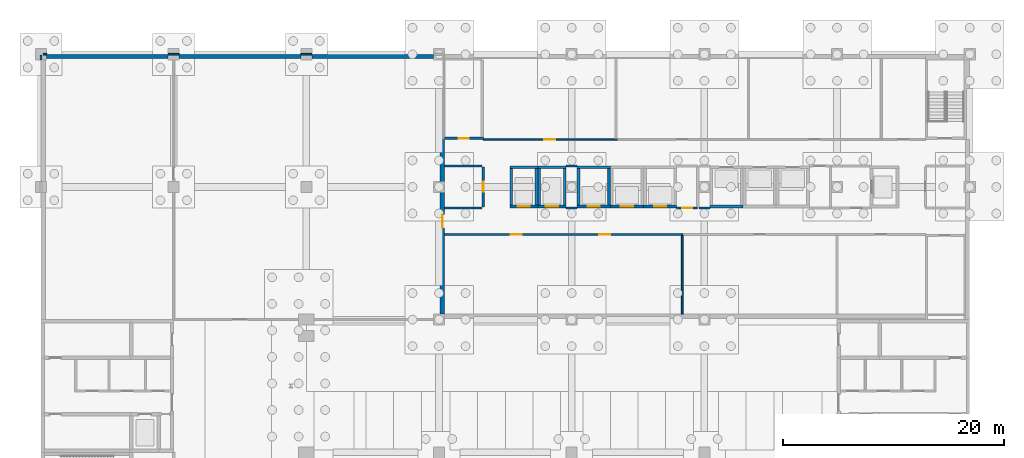
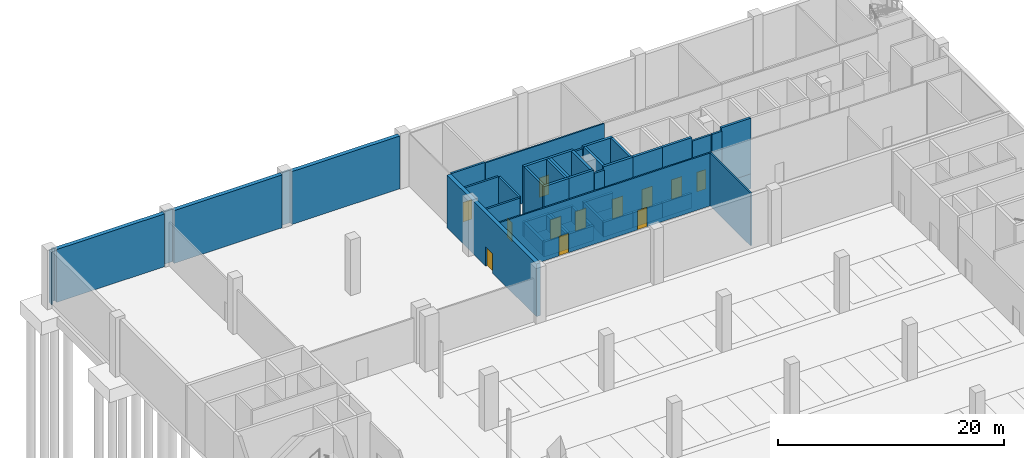
# One storey, part 25 of 34: 48 walls, 12 doors, 12 openings.
"""IFC4 building model written with IfcOpenShell, lengths in metres."""

from ifc_helpers import new_model, si_unit, direction, frame, frame_2d, origin, place, context, subcontext, project, spatial, rectangle, extrude, material, layer, layer_set, type_object, element, fill, save


model = new_model("IFC4")

# Units and contexts
model_context = context("Model", 3, precision=1e-05, world=origin(), true_north=direction((0.0, 1.0)))
body_context = subcontext(model_context, "Body", "Model", "MODEL_VIEW")
ifc_project = project(units=[si_unit("LENGTHUNIT", "METRE"), si_unit("AREAUNIT", "SQUARE_METRE"), si_unit("VOLUMEUNIT", "CUBIC_METRE"), si_unit("PLANEANGLEUNIT", "RADIAN"), si_unit("MASSUNIT", "GRAM", prefix="KILO")], contexts=[model_context])

# Site, building, storey
site_placement = place(None, origin())
site = spatial("IfcSite", under=ifc_project, at=site_placement, CompositionType="ELEMENT")
building_placement = place(site_placement, origin())
building = spatial("IfcBuilding", under=site, at=building_placement, Name="Lilac Gate Convention Centre", CompositionType="ELEMENT")
storey_placement = place(building_placement, frame((0.0, 0.0, -6.0)))
storey = spatial("IfcBuildingStorey", under=building, at=storey_placement, Name="B1", CompositionType="ELEMENT", Elevation=-6.0)

# Wall, opening, door
ifc_material_1 = material(Name="Fire-rated blockwork", Category="masonry")
ifc_layer_1 = layer(ifc_material_1, 0.39990234375)
ifc_layer_set_1 = layer_set([ifc_layer_1], Name="Fire-rated blockwork")
wall_type_1 = type_object("IfcWallType", Name="Basement compartment wall 400", PredefinedType="PARTITIONING", material=ifc_layer_set_1)
wall_1_placement = place(storey_placement, frame((42.300048828125, 222.5, 0.0), z_axis=(0.0, 0.0, 1.0), x_axis=(0.0, 1.0, 0.0)))
wall_1 = element("IfcWall", 1, at=wall_1_placement, inside=storey, type_object=wall_type_1, Name="Basement compartment wall 400 compartment west", PredefinedType="PARTITIONING", context=body_context, shape_type="SweptSolid", body=[
    extrude(rectangle(XDim=15.800048828125, YDim=0.39990234375, at=frame_2d((7.89990234375, 0.0))), origin(), (0.0, 0.0, 1.0), 5.699951171875),
])
opening_1_placement = place(wall_1_placement, frame((7.800048828125, 0.0, 0.0)))
opening_1 = element("IfcOpeningElement", 2, at=opening_1_placement, cuts=wall_1, Name="Opening TB1-006", PredefinedType="OPENING", context=body_context, shape_type="SweptSolid", body=[
    extrude(rectangle(XDim=1.199951171875, YDim=2.10009765625, at=frame_2d((0.60009765625, 1.050048828125))), frame((0.0, 0.2099609375, 0.0), z_axis=(0.0, -1.0, 0.0), x_axis=(1.0, 0.0, 0.0)), (0.0, 0.0, 1.0), 0.419921875),
])
ifc_material_2 = material(Name="Steel Q235B", Category="steel")
door_type_1 = type_object("IfcDoorType", Name="Compartment door 1200", OperationType="SINGLE_SWING_LEFT", PredefinedType="DOOR", material=ifc_material_2)
door_1_placement = place(opening_1_placement, origin())
door_1 = element("IfcDoor", 3, at=door_1_placement, inside=storey, type_object=door_type_1, Name="Basement compartment door", OperationType="SINGLE_SWING_LEFT", OverallHeight=2.10009765625, OverallWidth=1.199951171875, PredefinedType="DOOR", context=body_context, shape_type="SweptSolid", body=[
    extrude(rectangle(XDim=1.199951171875, YDim=2.10009765625, at=frame_2d((0.60009765625, 1.050048828125))), frame((0.0, 0.02490234375, 0.0), z_axis=(0.0, -1.0, 0.0), x_axis=(1.0, 0.0, 0.0)), (0.0, 0.0, 1.0), 0.050048828125),
])
fill(opening_1, door_1)

# Walls
ifc_material_3 = material(Name="Concrete C35", Category="concrete")
ifc_layer_2 = layer(ifc_material_3, 0.39990234375)
ifc_layer_set_2 = layer_set([ifc_layer_2], Name="Concrete C35")
wall_type_2 = type_object("IfcWallType", Name="Basement wall 400 C35", PredefinedType="SOLIDWALL", material=ifc_layer_set_2)
for number, where, z_axis, x_axis, name in (
    (4, (6.5, 245.800048828125, 0.0), (0.0, 0.0, 1.0), (1.0, 0.0, 0.0), "SW2 basement wall 1 at 1/U"),
    (5, (18.5, 245.800048828125, 0.0), (0.0, 0.0, 1.0), (1.0, 0.0, 0.0), "SW2 basement wall 2 at 1/U"),
    (6, (30.5, 245.800048828125, 0.0), (0.0, 0.0, 1.0), (1.0, 0.0, 0.0), "SW2 basement wall 3 at 1/U"),
):
    element("IfcWall", number, at=place(storey_placement, frame(where, z_axis=z_axis, x_axis=x_axis)), inside=storey, type_object=wall_type_2, Name=name, PredefinedType="SOLIDWALL", context=body_context, shape_type="SweptSolid", body=[
        extrude(rectangle(XDim=11.0, YDim=0.39990234375, at=frame_2d((5.5, 0.0))), origin(), (0.0, 0.0, 1.0), 5.699951171875),
    ])

# Wall, opening, door
ifc_material_4 = material(Name="Concrete C60", Category="concrete")
ifc_layer_3 = layer(ifc_material_4, 0.199951171875)
ifc_layer_set_3 = layer_set([ifc_layer_3], Name="Concrete C60")
wall_type_3 = type_object("IfcWallType", Name="Core wall 200 C60", PredefinedType="SHEAR", material=ifc_layer_set_3)
wall_2_placement = place(storey_placement, frame((42.5, 238.39990234375, 0.0), z_axis=(0.0, 0.0, 1.0), x_axis=(1.0, 0.0, 0.0)))
wall_2 = element("IfcWall", 7, at=wall_2_placement, inside=storey, type_object=wall_type_3, Name="CRW2 core wall TS-W B1 1", PredefinedType="SHEAR", context=body_context, shape_type="SweptSolid", body=[
    extrude(rectangle(XDim=3.5, YDim=0.199951171875, at=frame_2d((1.75, 0.0))), origin(), (0.0, 0.0, 1.0), 5.699951171875),
])
opening_2_placement = place(wall_2_placement, frame((1.300048828125, 0.0, 0.0)))
opening_2 = element("IfcOpeningElement", 8, at=opening_2_placement, cuts=wall_2, Name="Opening TB1-024", PredefinedType="OPENING", context=body_context, shape_type="SweptSolid", body=[
    extrude(rectangle(XDim=0.89990234375, YDim=2.10009765625, at=frame_2d((0.449951171875, 1.050048828125))), frame((0.0, 0.10986328125, 0.0), z_axis=(0.0, -1.0, 0.0), x_axis=(1.0, 0.0, 0.0)), (0.0, 0.0, 1.0), 0.219970703125),
])
door_type_2 = type_object("IfcDoorType", Name="Riser and store door 900", OperationType="SINGLE_SWING_LEFT", PredefinedType="DOOR", material=ifc_material_2)
door_2_placement = place(opening_2_placement, origin())
door_2 = element("IfcDoor", 9, at=door_2_placement, inside=storey, type_object=door_type_2, Name="Maintenance Workshop door", OperationType="SINGLE_SWING_RIGHT", OverallHeight=2.10009765625, OverallWidth=0.89990234375, PredefinedType="DOOR", context=body_context, shape_type="SweptSolid", body=[
    extrude(rectangle(XDim=0.89990234375, YDim=2.10009765625, at=frame_2d((0.449951171875, 1.050048828125))), frame((0.0, 0.02490234375, 0.0), z_axis=(0.0, -1.0, 0.0), x_axis=(1.0, 0.0, 0.0)), (0.0, 0.0, 1.0), 0.050048828125),
])
fill(opening_2, door_2)

ifc_layer_4 = layer(ifc_material_4, 0.25)
ifc_layer_set_4 = layer_set([ifc_layer_4], Name="Concrete C60")
wall_type_4 = type_object("IfcWallType", Name="Core wall 250 C60", PredefinedType="SHEAR", material=ifc_layer_set_4)
wall_3_placement = place(storey_placement, frame((54.5, 232.22509765625, 0.0), z_axis=(0.0, 0.0, 1.0), x_axis=(1.0, 0.0, 0.0)))
wall_3 = element("IfcWall", 10, at=wall_3_placement, inside=storey, type_object=wall_type_4, Name="CRW3 core wall TC B1 1", PredefinedType="SHEAR", context=body_context, shape_type="SweptSolid", body=[
    extrude(rectangle(XDim=3.0, YDim=0.25, at=frame_2d((1.5, 0.0))), origin(), (0.0, 0.0, 1.0), 6.0),
])
opening_3_placement = place(wall_3_placement, frame((0.949951171875, 0.0, 0.0)))
opening_3 = element("IfcOpeningElement", 11, at=opening_3_placement, cuts=wall_3, Name="Opening TB1-015", PredefinedType="OPENING", context=body_context, shape_type="SweptSolid", body=[
    extrude(rectangle(XDim=1.10009765625, YDim=2.10009765625, at=frame_2d((0.550048828125, 1.050048828125))), frame((0.0, 0.135009765625, 0.0), z_axis=(0.0, -1.0, 0.0), x_axis=(1.0, 0.0, 0.0)), (0.0, 0.0, 1.0), 0.27001953125),
])
ifc_material_5 = material(Name="Stainless steel 304", Category="steel")
door_type_3 = type_object("IfcDoorType", Name="Lift landing door 1100", OperationType="SLIDING_TO_LEFT", PredefinedType="DOOR", material=ifc_material_5)
door_3_placement = place(opening_3_placement, origin())
door_3 = element("IfcDoor", 12, at=door_3_placement, inside=storey, type_object=door_type_3, Name="Lift landing door TP1 B1", OperationType="SLIDING_TO_LEFT", OverallHeight=2.10009765625, OverallWidth=1.10009765625, PredefinedType="DOOR", context=body_context, shape_type="SweptSolid", body=[
    extrude(rectangle(XDim=1.10009765625, YDim=2.10009765625, at=frame_2d((0.550048828125, 1.050048828125))), frame((0.0, 0.02490234375, 0.0), z_axis=(0.0, -1.0, 0.0), x_axis=(1.0, 0.0, 0.0)), (0.0, 0.0, 1.0), 0.050048828125),
])
fill(opening_3, door_3)

# Walls
wall_4_placement = place(storey_placement, frame((54.5, 235.77490234375, 0.0), z_axis=(0.0, 0.0, 1.0), x_axis=(1.0, 0.0, 0.0)))
element("IfcWall", 13, at=wall_4_placement, inside=storey, type_object=wall_type_4, Name="CRW3 core wall TC B1 2", PredefinedType="SHEAR", context=body_context, shape_type="SweptSolid", body=[
    extrude(rectangle(XDim=3.0, YDim=0.25, at=frame_2d((1.5, 0.0))), origin(), (0.0, 0.0, 1.0), 6.0),
])
for number, where, z_axis, x_axis, name in (
    (14, (54.625, 232.35009765625, 0.0), (0.0, 0.0, 1.0), (0.0, 1.0, 0.0), "CRW3 core wall TC B1 3"),
    (15, (57.375, 232.35009765625, 0.0), (0.0, 0.0, 1.0), (0.0, 1.0, 0.0), "CRW3 core wall TC B1 4"),
):
    element("IfcWall", number, at=place(storey_placement, frame(where, z_axis=z_axis, x_axis=x_axis)), inside=storey, type_object=wall_type_4, Name=name, PredefinedType="SHEAR", context=body_context, shape_type="SweptSolid", body=[
        extrude(rectangle(XDim=3.2998046875, YDim=0.25, at=frame_2d((1.64990234375, 0.0))), origin(), (0.0, 0.0, 1.0), 6.0),
    ])

# Wall, opening, door
wall_5_placement = place(storey_placement, frame((57.5, 232.22509765625, 0.0), z_axis=(0.0, 0.0, 1.0), x_axis=(1.0, 0.0, 0.0)))
wall_5 = element("IfcWall", 16, at=wall_5_placement, inside=storey, type_object=wall_type_4, Name="CRW3 core wall TC B1 5", PredefinedType="SHEAR", context=body_context, shape_type="SweptSolid", body=[
    extrude(rectangle(XDim=3.0, YDim=0.25, at=frame_2d((1.5, 0.0))), origin(), (0.0, 0.0, 1.0), 6.0),
])
opening_4_placement = place(wall_5_placement, frame((0.949951171875, 0.0, 0.0)))
opening_4 = element("IfcOpeningElement", 17, at=opening_4_placement, cuts=wall_5, Name="Opening TB1-016", PredefinedType="OPENING", context=body_context, shape_type="SweptSolid", body=[
    extrude(rectangle(XDim=1.10009765625, YDim=2.10009765625, at=frame_2d((0.550048828125, 1.050048828125))), frame((0.0, 0.135009765625, 0.0), z_axis=(0.0, -1.0, 0.0), x_axis=(1.0, 0.0, 0.0)), (0.0, 0.0, 1.0), 0.27001953125),
])
door_4_placement = place(opening_4_placement, origin())
door_4 = element("IfcDoor", 18, at=door_4_placement, inside=storey, type_object=door_type_3, Name="Lift landing door TP2 B1", OperationType="SLIDING_TO_LEFT", OverallHeight=2.10009765625, OverallWidth=1.10009765625, PredefinedType="DOOR", context=body_context, shape_type="SweptSolid", body=[
    extrude(rectangle(XDim=1.10009765625, YDim=2.10009765625, at=frame_2d((0.550048828125, 1.050048828125))), frame((0.0, 0.02490234375, 0.0), z_axis=(0.0, -1.0, 0.0), x_axis=(1.0, 0.0, 0.0)), (0.0, 0.0, 1.0), 0.050048828125),
])
fill(opening_4, door_4)

wall_6_placement = place(storey_placement, frame((60.5, 232.22509765625, 0.0), z_axis=(0.0, 0.0, 1.0), x_axis=(1.0, 0.0, 0.0)))
wall_6 = element("IfcWall", 19, at=wall_6_placement, inside=storey, type_object=wall_type_4, Name="CRW3 core wall TC B1 9", PredefinedType="SHEAR", context=body_context, shape_type="SweptSolid", body=[
    extrude(rectangle(XDim=3.0, YDim=0.25, at=frame_2d((1.5, 0.0))), origin(), (0.0, 0.0, 1.0), 6.0),
])
opening_5_placement = place(wall_6_placement, frame((0.949951171875, 0.0, 0.0)))
opening_5 = element("IfcOpeningElement", 20, at=opening_5_placement, cuts=wall_6, Name="Opening TB1-017", PredefinedType="OPENING", context=body_context, shape_type="SweptSolid", body=[
    extrude(rectangle(XDim=1.10009765625, YDim=2.10009765625, at=frame_2d((0.550048828125, 1.050048828125))), frame((0.0, 0.135009765625, 0.0), z_axis=(0.0, -1.0, 0.0), x_axis=(1.0, 0.0, 0.0)), (0.0, 0.0, 1.0), 0.27001953125),
])
door_5_placement = place(opening_5_placement, origin())
door_5 = element("IfcDoor", 21, at=door_5_placement, inside=storey, type_object=door_type_3, Name="Lift landing door TP3 B1", OperationType="SLIDING_TO_LEFT", OverallHeight=2.10009765625, OverallWidth=1.10009765625, PredefinedType="DOOR", context=body_context, shape_type="SweptSolid", body=[
    extrude(rectangle(XDim=1.10009765625, YDim=2.10009765625, at=frame_2d((0.550048828125, 1.050048828125))), frame((0.0, 0.02490234375, 0.0), z_axis=(0.0, -1.0, 0.0), x_axis=(1.0, 0.0, 0.0)), (0.0, 0.0, 1.0), 0.050048828125),
])
fill(opening_5, door_5)

# Wall
wall_7_placement = place(storey_placement, frame((66.5, 232.22509765625, 0.0), z_axis=(0.0, 0.0, 1.0), x_axis=(1.0, 0.0, 0.0)))
element("IfcWall", 22, at=wall_7_placement, inside=storey, type_object=wall_type_4, Name="CRW3 core wall TC B1 13", PredefinedType="SHEAR", context=body_context, shape_type="SweptSolid", body=[
    extrude(rectangle(XDim=3.0, YDim=0.25, at=frame_2d((1.5, 0.0))), origin(), (0.0, 0.0, 1.0), 6.0),
])

# Wall, opening, door
wall_8_placement = place(storey_placement, frame((48.39990234375, 232.22509765625, 0.0), z_axis=(0.0, 0.0, 1.0), x_axis=(1.0, 0.0, 0.0)))
wall_8 = element("IfcWall", 23, at=wall_8_placement, inside=storey, type_object=wall_type_4, Name="CRW3 core wall TC B1 25", PredefinedType="SHEAR", context=body_context, shape_type="SweptSolid", body=[
    extrude(rectangle(XDim=2.550048828125, YDim=0.25, at=frame_2d((1.27490234375, 0.0))), origin(), (0.0, 0.0, 1.0), 6.0),
])
opening_6_placement = place(wall_8_placement, frame((0.72509765625, 0.0, 0.0)))
opening_6 = element("IfcOpeningElement", 24, at=opening_6_placement, cuts=wall_8, Name="Opening TB1-021", PredefinedType="OPENING", context=body_context, shape_type="SweptSolid", body=[
    extrude(rectangle(XDim=1.10009765625, YDim=2.10009765625, at=frame_2d((0.550048828125, 1.050048828125))), frame((0.0, 0.135009765625, 0.0), z_axis=(0.0, -1.0, 0.0), x_axis=(1.0, 0.0, 0.0)), (0.0, 0.0, 1.0), 0.27001953125),
])
door_6_placement = place(opening_6_placement, origin())
door_6 = element("IfcDoor", 25, at=door_6_placement, inside=storey, type_object=door_type_3, Name="Lift landing door TS1 B1", OperationType="SLIDING_TO_LEFT", OverallHeight=2.10009765625, OverallWidth=1.10009765625, PredefinedType="DOOR", context=body_context, shape_type="SweptSolid", body=[
    extrude(rectangle(XDim=1.10009765625, YDim=2.10009765625, at=frame_2d((0.550048828125, 1.050048828125))), frame((0.0, 0.02490234375, 0.0), z_axis=(0.0, -1.0, 0.0), x_axis=(1.0, 0.0, 0.0)), (0.0, 0.0, 1.0), 0.050048828125),
])
fill(opening_6, door_6)

# Walls
wall_9_placement = place(storey_placement, frame((48.39990234375, 235.77490234375, 0.0), z_axis=(0.0, 0.0, 1.0), x_axis=(1.0, 0.0, 0.0)))
element("IfcWall", 26, at=wall_9_placement, inside=storey, type_object=wall_type_4, Name="CRW3 core wall TC B1 26", PredefinedType="SHEAR", context=body_context, shape_type="SweptSolid", body=[
    extrude(rectangle(XDim=2.550048828125, YDim=0.25, at=frame_2d((1.27490234375, 0.0))), origin(), (0.0, 0.0, 1.0), 6.0),
])
for number, where, z_axis, x_axis, name in (
    (27, (48.52490234375, 232.35009765625, 0.0), (0.0, 0.0, 1.0), (0.0, 1.0, 0.0), "CRW3 core wall TC B1 27"),
    (28, (50.824951171875, 232.35009765625, 0.0), (0.0, 0.0, 1.0), (0.0, 1.0, 0.0), "CRW3 core wall TC B1 28"),
):
    element("IfcWall", number, at=place(storey_placement, frame(where, z_axis=z_axis, x_axis=x_axis)), inside=storey, type_object=wall_type_4, Name=name, PredefinedType="SHEAR", context=body_context, shape_type="SweptSolid", body=[
        extrude(rectangle(XDim=3.2998046875, YDim=0.25, at=frame_2d((1.64990234375, 0.0))), origin(), (0.0, 0.0, 1.0), 6.0),
    ])

# Wall, opening, door
wall_10_placement = place(storey_placement, frame((50.949951171875, 232.22509765625, 0.0), z_axis=(0.0, 0.0, 1.0), x_axis=(1.0, 0.0, 0.0)))
wall_10 = element("IfcWall", 29, at=wall_10_placement, inside=storey, type_object=wall_type_4, Name="CRW3 core wall TC B1 29", PredefinedType="SHEAR", context=body_context, shape_type="SweptSolid", body=[
    extrude(rectangle(XDim=2.550048828125, YDim=0.25, at=frame_2d((1.27490234375, 0.0))), origin(), (0.0, 0.0, 1.0), 6.0),
])
opening_7_placement = place(wall_10_placement, frame((0.72509765625, 0.0, 0.0)))
opening_7 = element("IfcOpeningElement", 30, at=opening_7_placement, cuts=wall_10, Name="Opening TB1-022", PredefinedType="OPENING", context=body_context, shape_type="SweptSolid", body=[
    extrude(rectangle(XDim=1.10009765625, YDim=2.10009765625, at=frame_2d((0.550048828125, 1.050048828125))), frame((0.0, 0.135009765625, 0.0), z_axis=(0.0, -1.0, 0.0), x_axis=(1.0, 0.0, 0.0)), (0.0, 0.0, 1.0), 0.27001953125),
])
door_7_placement = place(opening_7_placement, origin())
door_7 = element("IfcDoor", 31, at=door_7_placement, inside=storey, type_object=door_type_3, Name="Lift landing door TS2 B1", OperationType="SLIDING_TO_LEFT", OverallHeight=2.10009765625, OverallWidth=1.10009765625, PredefinedType="DOOR", context=body_context, shape_type="SweptSolid", body=[
    extrude(rectangle(XDim=1.10009765625, YDim=2.10009765625, at=frame_2d((0.550048828125, 1.050048828125))), frame((0.0, 0.02490234375, 0.0), z_axis=(0.0, -1.0, 0.0), x_axis=(1.0, 0.0, 0.0)), (0.0, 0.0, 1.0), 0.050048828125),
])
fill(opening_7, door_7)

# Walls
wall_11_placement = place(storey_placement, frame((50.949951171875, 235.77490234375, 0.0), z_axis=(0.0, 0.0, 1.0), x_axis=(1.0, 0.0, 0.0)))
element("IfcWall", 32, at=wall_11_placement, inside=storey, type_object=wall_type_4, Name="CRW3 core wall TC B1 30", PredefinedType="SHEAR", context=body_context, shape_type="SweptSolid", body=[
    extrude(rectangle(XDim=2.550048828125, YDim=0.25, at=frame_2d((1.27490234375, 0.0))), origin(), (0.0, 0.0, 1.0), 6.0),
])
for number, where, z_axis, x_axis, name in (
    (33, (51.074951171875, 232.35009765625, 0.0), (0.0, 0.0, 1.0), (0.0, 1.0, 0.0), "CRW3 core wall TC B1 31"),
    (34, (53.375, 232.35009765625, 0.0), (0.0, 0.0, 1.0), (0.0, 1.0, 0.0), "CRW3 core wall TC B1 32"),
):
    element("IfcWall", number, at=place(storey_placement, frame(where, z_axis=z_axis, x_axis=x_axis)), inside=storey, type_object=wall_type_4, Name=name, PredefinedType="SHEAR", context=body_context, shape_type="SweptSolid", body=[
        extrude(rectangle(XDim=3.2998046875, YDim=0.25, at=frame_2d((1.64990234375, 0.0))), origin(), (0.0, 0.0, 1.0), 6.0),
    ])

# Wall, openings, doors
ifc_material_6 = material(Name="Gypsum board on steel stud", Category="steel")
ifc_layer_5 = layer(ifc_material_6, 0.14990234375)
ifc_layer_set_5 = layer_set([ifc_layer_5], Name="Gypsum board on steel stud")
wall_type_5 = type_object("IfcWallType", Name="Corridor wall 150", PredefinedType="PARTITIONING", material=ifc_layer_set_5)
wall_12_placement = place(storey_placement, frame((64.10009765625, 229.699951171875, 0.0), z_axis=(0.0, 0.0, 1.0), x_axis=(-1.0, 0.0, 0.0)))
wall_12 = element("IfcWall", 35, at=wall_12_placement, inside=storey, type_object=wall_type_5, Name="Corridor wall 150 front LND", PredefinedType="PARTITIONING", context=body_context, shape_type="SweptSolid", body=[
    extrude(rectangle(XDim=21.60009765625, YDim=0.14990234375, at=frame_2d((10.800048828125, 0.0))), origin(), (0.0, 0.0, 1.0), 5.699951171875),
])
opening_8_placement = place(wall_12_placement, frame((14.60009765625, 0.0, 0.0)))
opening_8 = element("IfcOpeningElement", 36, at=opening_8_placement, cuts=wall_12, Name="Opening TB1-007", PredefinedType="OPENING", context=body_context, shape_type="SweptSolid", body=[
    extrude(rectangle(XDim=1.0, YDim=2.10009765625, at=frame_2d((0.5, 1.050048828125))), frame((0.0, 0.0849609375, 0.0), z_axis=(0.0, -1.0, 0.0), x_axis=(1.0, 0.0, 0.0)), (0.0, 0.0, 1.0), 0.169921875),
])
opening_9_placement = place(wall_12_placement, frame((6.60009765625, 0.0, 0.0)))
opening_9 = element("IfcOpeningElement", 37, at=opening_9_placement, cuts=wall_12, Name="Opening TB1-008", PredefinedType="OPENING", context=body_context, shape_type="SweptSolid", body=[
    extrude(rectangle(XDim=1.0, YDim=2.10009765625, at=frame_2d((0.5, 1.050048828125))), frame((0.0, 0.0849609375, 0.0), z_axis=(0.0, -1.0, 0.0), x_axis=(1.0, 0.0, 0.0)), (0.0, 0.0, 1.0), 0.169921875),
])
ifc_material_7 = material(Name="Timber", Category="wood")
door_type_4 = type_object("IfcDoorType", Name="Room door 1000", OperationType="SINGLE_SWING_LEFT", PredefinedType="DOOR", material=ifc_material_7)
door_8_placement = place(opening_8_placement, origin())
door_8 = element("IfcDoor", 38, at=door_8_placement, inside=storey, type_object=door_type_4, Name="Hotel Laundry door", OperationType="SINGLE_SWING_RIGHT", OverallHeight=2.10009765625, OverallWidth=1.0, PredefinedType="DOOR", context=body_context, shape_type="SweptSolid", body=[
    extrude(rectangle(XDim=1.0, YDim=2.10009765625, at=frame_2d((0.5, 1.050048828125))), frame((0.0, 0.02490234375, 0.0), z_axis=(0.0, -1.0, 0.0), x_axis=(1.0, 0.0, 0.0)), (0.0, 0.0, 1.0), 0.050048828125),
])
fill(opening_8, door_8)
door_9_placement = place(opening_9_placement, origin())
door_9 = element("IfcDoor", 39, at=door_9_placement, inside=storey, type_object=door_type_4, Name="Hotel Laundry door", OperationType="SINGLE_SWING_LEFT", OverallHeight=2.10009765625, OverallWidth=1.0, PredefinedType="DOOR", context=body_context, shape_type="SweptSolid", body=[
    extrude(rectangle(XDim=1.0, YDim=2.10009765625, at=frame_2d((0.5, 1.050048828125))), frame((0.0, 0.02490234375, 0.0), z_axis=(0.0, -1.0, 0.0), x_axis=(1.0, 0.0, 0.0)), (0.0, 0.0, 1.0), 0.050048828125),
])
fill(opening_9, door_9)

# Wall, opening, door
wall_13_placement = place(storey_placement, frame((46.0, 238.300048828125, 0.0), z_axis=(0.0, 0.0, 1.0), x_axis=(1.0, 0.0, 0.0)))
wall_13 = element("IfcWall", 40, at=wall_13_placement, inside=storey, type_object=wall_type_5, Name="Corridor wall 150 front STC", PredefinedType="PARTITIONING", context=body_context, shape_type="SweptSolid", body=[
    extrude(rectangle(XDim=12.10009765625, YDim=0.14990234375, at=frame_2d((6.050048828125, 0.0))), origin(), (0.0, 0.0, 1.0), 5.699951171875),
])
opening_10_placement = place(wall_13_placement, frame((5.5, 0.0, 0.0)))
opening_10 = element("IfcOpeningElement", 41, at=opening_10_placement, cuts=wall_13, Name="Opening TB1-011", PredefinedType="OPENING", context=body_context, shape_type="SweptSolid", body=[
    extrude(rectangle(XDim=1.0, YDim=2.10009765625, at=frame_2d((0.5, 1.050048828125))), frame((0.0, 0.0849609375, 0.0), z_axis=(0.0, -1.0, 0.0), x_axis=(1.0, 0.0, 0.0)), (0.0, 0.0, 1.0), 0.169921875),
])
door_10_placement = place(opening_10_placement, origin())
door_10 = element("IfcDoor", 42, at=door_10_placement, inside=storey, type_object=door_type_4, Name="Staff Changing Room door", OperationType="SINGLE_SWING_RIGHT", OverallHeight=2.10009765625, OverallWidth=1.0, PredefinedType="DOOR", context=body_context, shape_type="SweptSolid", body=[
    extrude(rectangle(XDim=1.0, YDim=2.10009765625, at=frame_2d((0.5, 1.050048828125))), frame((0.0, 0.02490234375, 0.0), z_axis=(0.0, -1.0, 0.0), x_axis=(1.0, 0.0, 0.0)), (0.0, 0.0, 1.0), 0.050048828125),
])
fill(opening_10, door_10)

# Walls
ifc_material_8 = material(Name="Fire-rated gypsum board on steel stud", Category="steel")
ifc_layer_6 = layer(ifc_material_8, 0.14990234375)
ifc_layer_set_6 = layer_set([ifc_layer_6], Name="Fire-rated gypsum board on steel stud")
wall_type_6 = type_object("IfcWallType", Name="Partition 150 fire-rated gypsum board EI 60", PredefinedType="PARTITIONING", material=ifc_layer_set_6)
wall_14_placement = place(storey_placement, frame((6.199951171875, 246.0, 0.0), z_axis=(0.0, 0.0, 1.0), x_axis=(1.0, 0.0, 0.0)))
element("IfcWall", 43, at=wall_14_placement, inside=storey, type_object=wall_type_6, Name="Partition 150 fire-rated gypsum board EI 60", PredefinedType="PARTITIONING", context=body_context, shape_type="SweptSolid", body=[
    extrude(rectangle(XDim=0.300048828125, YDim=0.14990234375, at=frame_2d((0.14990234375, 0.0))), origin(), (0.0, 0.0, 1.0), 5.699951171875),
])
for number, where, z_axis, x_axis, name in (
    (44, (17.5, 246.0, 0.0), (0.0, 0.0, 1.0), (1.0, 0.0, 0.0), "Partition 150 fire-rated gypsum board EI 60"),
    (45, (29.5, 246.0, 0.0), (0.0, 0.0, 1.0), (1.0, 0.0, 0.0), "Partition 150 fire-rated gypsum board EI 60"),
):
    element("IfcWall", number, at=place(storey_placement, frame(where, z_axis=z_axis, x_axis=x_axis)), inside=storey, type_object=wall_type_6, Name=name, PredefinedType="PARTITIONING", context=body_context, shape_type="SweptSolid", body=[
        extrude(rectangle(XDim=1.0, YDim=0.14990234375, at=frame_2d((0.5, 0.0))), origin(), (0.0, 0.0, 1.0), 5.699951171875),
    ])
wall_15_placement = place(storey_placement, frame((6.0, 245.5, 0.0), z_axis=(0.0, 0.0, 1.0), x_axis=(0.0, 1.0, 0.0)))
element("IfcWall", 46, at=wall_15_placement, inside=storey, type_object=wall_type_6, Name="Partition 150 fire-rated gypsum board EI 60", PredefinedType="PARTITIONING", context=body_context, shape_type="SweptSolid", body=[
    extrude(rectangle(XDim=0.425048828125, YDim=0.14990234375, at=frame_2d((0.21240234375, 0.0))), origin(), (0.0, 0.0, 1.0), 5.699951171875),
])
ifc_layer_7 = layer(ifc_material_6, 0.199951171875)
ifc_layer_set_7 = layer_set([ifc_layer_7], Name="Gypsum board on steel stud")
wall_type_7 = type_object("IfcWallType", Name="Riser and store wall 200", PredefinedType="PARTITIONING", material=ifc_layer_set_7)
wall_16_placement = place(storey_placement, frame((42.5, 232.10009765625, 0.0), z_axis=(0.0, 0.0, 1.0), x_axis=(1.0, 0.0, 0.0)))
element("IfcWall", 47, at=wall_16_placement, inside=storey, type_object=wall_type_7, Name="Riser and store wall 200 HKW-S", PredefinedType="PARTITIONING", context=body_context, shape_type="SweptSolid", body=[
    extrude(rectangle(XDim=3.39990234375, YDim=0.199951171875, at=frame_2d((1.699951171875, 0.0))), origin(), (0.0, 0.0, 1.0), 5.699951171875),
])
wall_17_placement = place(storey_placement, frame((53.5, 232.10009765625, 0.0), z_axis=(0.0, 0.0, 1.0), x_axis=(1.0, 0.0, 0.0)))
element("IfcWall", 48, at=wall_17_placement, inside=storey, type_object=wall_type_7, Name="Riser and store wall 200 NICHE1-S", PredefinedType="PARTITIONING", context=body_context, shape_type="SweptSolid", body=[
    extrude(rectangle(XDim=1.0, YDim=0.199951171875, at=frame_2d((0.5, 0.0))), origin(), (0.0, 0.0, 1.0), 5.699951171875),
])

# Wall, opening, door
wall_18_placement = place(storey_placement, frame((63.5, 232.10009765625, 0.0), z_axis=(0.0, 0.0, 1.0), x_axis=(1.0, 0.0, 0.0)))
wall_18 = element("IfcWall", 49, at=wall_18_placement, inside=storey, type_object=wall_type_7, Name="Riser and store wall 200 RS1-S", PredefinedType="PARTITIONING", context=body_context, shape_type="SweptSolid", body=[
    extrude(rectangle(XDim=1.89990234375, YDim=0.199951171875, at=frame_2d((0.949951171875, 0.0))), origin(), (0.0, 0.0, 1.0), 5.699951171875),
])
opening_11_placement = place(wall_18_placement, frame((0.5, 0.0, 0.0)))
opening_11 = element("IfcOpeningElement", 50, at=opening_11_placement, cuts=wall_18, Name="Opening TB1-002", PredefinedType="OPENING", context=body_context, shape_type="SweptSolid", body=[
    extrude(rectangle(XDim=0.89990234375, YDim=2.10009765625, at=frame_2d((0.449951171875, 1.050048828125))), frame((0.0, 0.10986328125, 0.0), z_axis=(0.0, -1.0, 0.0), x_axis=(1.0, 0.0, 0.0)), (0.0, 0.0, 1.0), 0.219970703125),
])
door_11_placement = place(opening_11_placement, origin())
door_11 = element("IfcDoor", 51, at=door_11_placement, inside=storey, type_object=door_type_2, Name="Riser room door", OperationType="SINGLE_SWING_RIGHT", OverallHeight=2.10009765625, OverallWidth=0.89990234375, PredefinedType="DOOR", context=body_context, shape_type="SweptSolid", body=[
    extrude(rectangle(XDim=0.89990234375, YDim=2.10009765625, at=frame_2d((0.449951171875, 1.050048828125))), frame((0.0, 0.02490234375, 0.0), z_axis=(0.0, -1.0, 0.0), x_axis=(1.0, 0.0, 0.0)), (0.0, 0.0, 1.0), 0.050048828125),
])
fill(opening_11, door_11)

# Walls
wall_19_placement = place(storey_placement, frame((65.5, 232.10009765625, 0.0), z_axis=(0.0, 0.0, 1.0), x_axis=(1.0, 0.0, 0.0)))
element("IfcWall", 52, at=wall_19_placement, inside=storey, type_object=wall_type_7, Name="Riser and store wall 200 NICHE2-S", PredefinedType="PARTITIONING", context=body_context, shape_type="SweptSolid", body=[
    extrude(rectangle(XDim=1.0, YDim=0.199951171875, at=frame_2d((0.5, 0.0))), origin(), (0.0, 0.0, 1.0), 5.699951171875),
])
wall_20_placement = place(storey_placement, frame((42.5, 235.89990234375, 0.0), z_axis=(0.0, 0.0, 1.0), x_axis=(1.0, 0.0, 0.0)))
element("IfcWall", 53, at=wall_20_placement, inside=storey, type_object=wall_type_7, Name="Riser and store wall 200 HKW-N", PredefinedType="PARTITIONING", context=body_context, shape_type="SweptSolid", body=[
    extrude(rectangle(XDim=3.39990234375, YDim=0.199951171875, at=frame_2d((1.699951171875, 0.0))), origin(), (0.0, 0.0, 1.0), 5.699951171875),
])
wall_21_placement = place(storey_placement, frame((53.5, 235.89990234375, 0.0), z_axis=(0.0, 0.0, 1.0), x_axis=(1.0, 0.0, 0.0)))
element("IfcWall", 54, at=wall_21_placement, inside=storey, type_object=wall_type_7, Name="Riser and store wall 200 NICHE1-N", PredefinedType="PARTITIONING", context=body_context, shape_type="SweptSolid", body=[
    extrude(rectangle(XDim=1.0, YDim=0.199951171875, at=frame_2d((0.5, 0.0))), origin(), (0.0, 0.0, 1.0), 5.699951171875),
])

# Wall, opening, door
wall_22_placement = place(storey_placement, frame((46.0, 232.199951171875, 0.0), z_axis=(0.0, 0.0, 1.0), x_axis=(0.0, 1.0, 0.0)))
wall_22 = element("IfcWall", 55, at=wall_22_placement, inside=storey, type_object=wall_type_7, Name="Riser and store wall 200 HKW-E", PredefinedType="PARTITIONING", context=body_context, shape_type="SweptSolid", body=[
    extrude(rectangle(XDim=3.60009765625, YDim=0.199951171875, at=frame_2d((1.800048828125, 0.0))), origin(), (0.0, 0.0, 1.0), 5.699951171875),
])
opening_12_placement = place(wall_22_placement, frame((1.35009765625, 0.0, 0.0)))
opening_12 = element("IfcOpeningElement", 56, at=opening_12_placement, cuts=wall_22, Name="Opening TB1-001", PredefinedType="OPENING", context=body_context, shape_type="SweptSolid", body=[
    extrude(rectangle(XDim=0.89990234375, YDim=2.10009765625, at=frame_2d((0.449951171875, 1.050048828125))), frame((0.0, 0.10986328125, 0.0), z_axis=(0.0, -1.0, 0.0), x_axis=(1.0, 0.0, 0.0)), (0.0, 0.0, 1.0), 0.219970703125),
])
door_12_placement = place(opening_12_placement, origin())
door_12 = element("IfcDoor", 57, at=door_12_placement, inside=storey, type_object=door_type_2, Name="Housekeeping door", OperationType="SINGLE_SWING_LEFT", OverallHeight=2.10009765625, OverallWidth=0.89990234375, PredefinedType="DOOR", context=body_context, shape_type="SweptSolid", body=[
    extrude(rectangle(XDim=0.89990234375, YDim=2.10009765625, at=frame_2d((0.449951171875, 1.050048828125))), frame((0.0, 0.02490234375, 0.0), z_axis=(0.0, -1.0, 0.0), x_axis=(1.0, 0.0, 0.0)), (0.0, 0.0, 1.0), 0.050048828125),
])
fill(opening_12, door_12)

# Walls
ifc_layer_8 = layer(ifc_material_6, 0.14990234375)
ifc_layer_set_8 = layer_set([ifc_layer_8], Name="Gypsum board on steel stud")
wall_type_8 = type_object("IfcWallType", Name="Room partition 150", PredefinedType="PARTITIONING", material=ifc_layer_set_8)
wall_23_placement = place(storey_placement, frame((64.0, 222.5, 0.0), z_axis=(0.0, 0.0, 1.0), x_axis=(0.0, 1.0, 0.0)))
element("IfcWall", 58, at=wall_23_placement, inside=storey, type_object=wall_type_8, Name="Room partition 150 part HEX", PredefinedType="PARTITIONING", context=body_context, shape_type="SweptSolid", body=[
    extrude(rectangle(XDim=7.125, YDim=0.14990234375, at=frame_2d((3.5625, 0.0))), origin(), (0.0, 0.0, 1.0), 5.699951171875),
])
ifc_material_9 = material(Name="Concrete C40", Category="concrete")
ifc_layer_9 = layer(ifc_material_9, 0.25)
ifc_layer_set_9 = layer_set([ifc_layer_9], Name="Concrete C40")
wall_type_9 = type_object("IfcWallType", Name="Tower lift pit wall 250", PredefinedType="SOLIDWALL", material=ifc_layer_set_9)
for number, where, z_axis, x_axis, name in (
    (59, (54.5, 232.22509765625, -1.60009765625), (0.0, 0.0, 1.0), (1.0, 0.0, 0.0), "Lift pit wall TP1"),
    (60, (54.5, 235.77490234375, -1.60009765625), (0.0, 0.0, 1.0), (1.0, 0.0, 0.0), "Lift pit wall TP1"),
):
    element("IfcWall", number, at=place(storey_placement, frame(where, z_axis=z_axis, x_axis=x_axis)), inside=storey, type_object=wall_type_9, Name=name, PredefinedType="SOLIDWALL", context=body_context, shape_type="SweptSolid", body=[
        extrude(rectangle(XDim=3.0, YDim=0.25, at=frame_2d((1.5, 0.0))), origin(), (0.0, 0.0, 1.0), 1.60009765625),
    ])
wall_24_placement = place(storey_placement, frame((54.625, 232.35009765625, -1.60009765625), z_axis=(0.0, 0.0, 1.0), x_axis=(0.0, 1.0, 0.0)))
element("IfcWall", 61, at=wall_24_placement, inside=storey, type_object=wall_type_9, Name="Lift pit wall TP1", PredefinedType="SOLIDWALL", context=body_context, shape_type="SweptSolid", body=[
    extrude(rectangle(XDim=3.2998046875, YDim=0.25, at=frame_2d((1.64990234375, 0.0))), origin(), (0.0, 0.0, 1.0), 1.60009765625),
])
for number, where, z_axis, x_axis, name in (
    (62, (57.5, 232.22509765625, -1.60009765625), (0.0, 0.0, 1.0), (1.0, 0.0, 0.0), "Lift pit wall TP2"),
    (63, (60.5, 232.22509765625, -1.60009765625), (0.0, 0.0, 1.0), (1.0, 0.0, 0.0), "Lift pit wall TP3"),
    (64, (66.5, 232.22509765625, -1.60009765625), (0.0, 0.0, 1.0), (1.0, 0.0, 0.0), "Lift pit wall TP4"),
):
    element("IfcWall", number, at=place(storey_placement, frame(where, z_axis=z_axis, x_axis=x_axis)), inside=storey, type_object=wall_type_9, Name=name, PredefinedType="SOLIDWALL", context=body_context, shape_type="SweptSolid", body=[
        extrude(rectangle(XDim=3.0, YDim=0.25, at=frame_2d((1.5, 0.0))), origin(), (0.0, 0.0, 1.0), 1.60009765625),
    ])
for number, where, z_axis, x_axis, name in (
    (65, (48.39990234375, 232.22509765625, -1.60009765625), (0.0, 0.0, 1.0), (1.0, 0.0, 0.0), "Lift pit wall TS1"),
    (66, (48.39990234375, 235.77490234375, -1.60009765625), (0.0, 0.0, 1.0), (1.0, 0.0, 0.0), "Lift pit wall TS1"),
):
    element("IfcWall", number, at=place(storey_placement, frame(where, z_axis=z_axis, x_axis=x_axis)), inside=storey, type_object=wall_type_9, Name=name, PredefinedType="SOLIDWALL", context=body_context, shape_type="SweptSolid", body=[
        extrude(rectangle(XDim=2.550048828125, YDim=0.25, at=frame_2d((1.27490234375, 0.0))), origin(), (0.0, 0.0, 1.0), 1.60009765625),
    ])
for number, where, z_axis, x_axis, name in (
    (67, (48.52490234375, 232.35009765625, -1.60009765625), (0.0, 0.0, 1.0), (0.0, 1.0, 0.0), "Lift pit wall TS1"),
    (68, (50.824951171875, 232.35009765625, -1.60009765625), (0.0, 0.0, 1.0), (0.0, 1.0, 0.0), "Lift pit wall TS1"),
):
    element("IfcWall", number, at=place(storey_placement, frame(where, z_axis=z_axis, x_axis=x_axis)), inside=storey, type_object=wall_type_9, Name=name, PredefinedType="SOLIDWALL", context=body_context, shape_type="SweptSolid", body=[
        extrude(rectangle(XDim=3.2998046875, YDim=0.25, at=frame_2d((1.64990234375, 0.0))), origin(), (0.0, 0.0, 1.0), 1.60009765625),
    ])
for number, where, z_axis, x_axis, name in (
    (69, (50.949951171875, 232.22509765625, -1.60009765625), (0.0, 0.0, 1.0), (1.0, 0.0, 0.0), "Lift pit wall TS2"),
    (70, (50.949951171875, 235.77490234375, -1.60009765625), (0.0, 0.0, 1.0), (1.0, 0.0, 0.0), "Lift pit wall TS2"),
):
    element("IfcWall", number, at=place(storey_placement, frame(where, z_axis=z_axis, x_axis=x_axis)), inside=storey, type_object=wall_type_9, Name=name, PredefinedType="SOLIDWALL", context=body_context, shape_type="SweptSolid", body=[
        extrude(rectangle(XDim=2.550048828125, YDim=0.25, at=frame_2d((1.27490234375, 0.0))), origin(), (0.0, 0.0, 1.0), 1.60009765625),
    ])
for number, where, z_axis, x_axis, name in (
    (71, (51.074951171875, 232.35009765625, -1.60009765625), (0.0, 0.0, 1.0), (0.0, 1.0, 0.0), "Lift pit wall TS2"),
    (72, (53.375, 232.35009765625, -1.60009765625), (0.0, 0.0, 1.0), (0.0, 1.0, 0.0), "Lift pit wall TS2"),
):
    element("IfcWall", number, at=place(storey_placement, frame(where, z_axis=z_axis, x_axis=x_axis)), inside=storey, type_object=wall_type_9, Name=name, PredefinedType="SOLIDWALL", context=body_context, shape_type="SweptSolid", body=[
        extrude(rectangle(XDim=3.2998046875, YDim=0.25, at=frame_2d((1.64990234375, 0.0))), origin(), (0.0, 0.0, 1.0), 1.60009765625),
    ])

save(model, "model.ifc")
